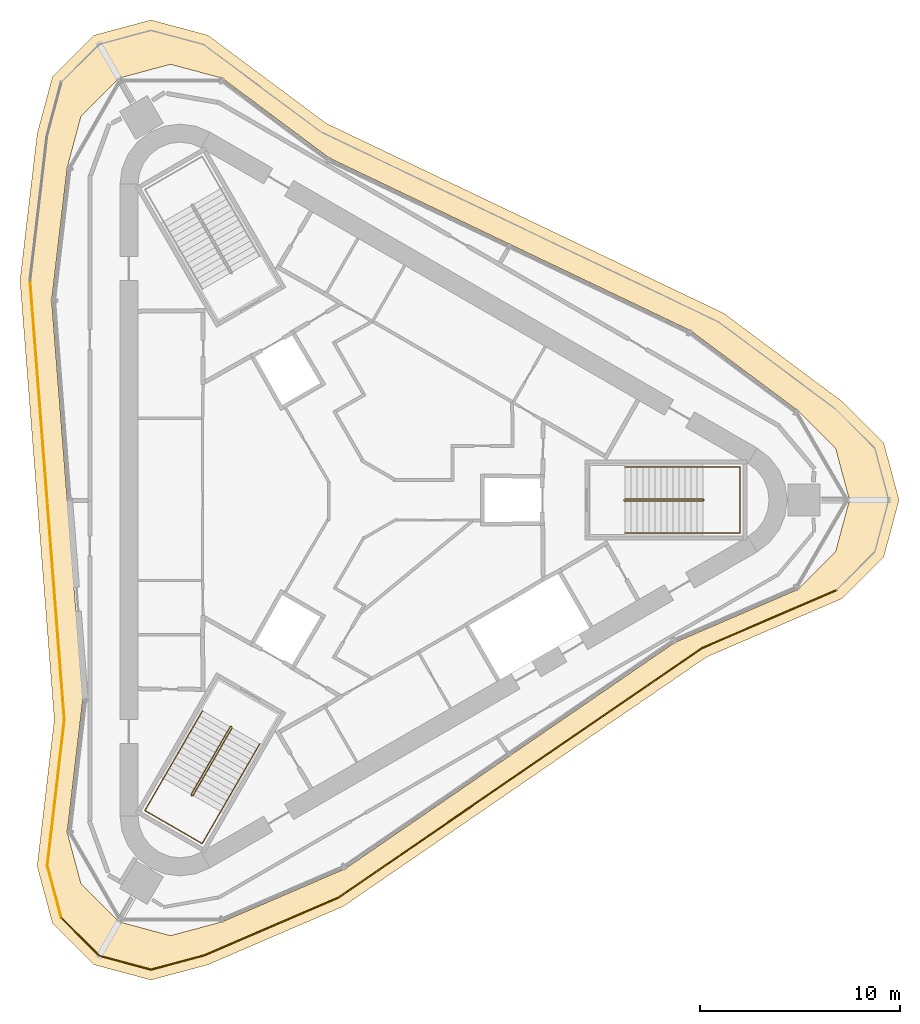
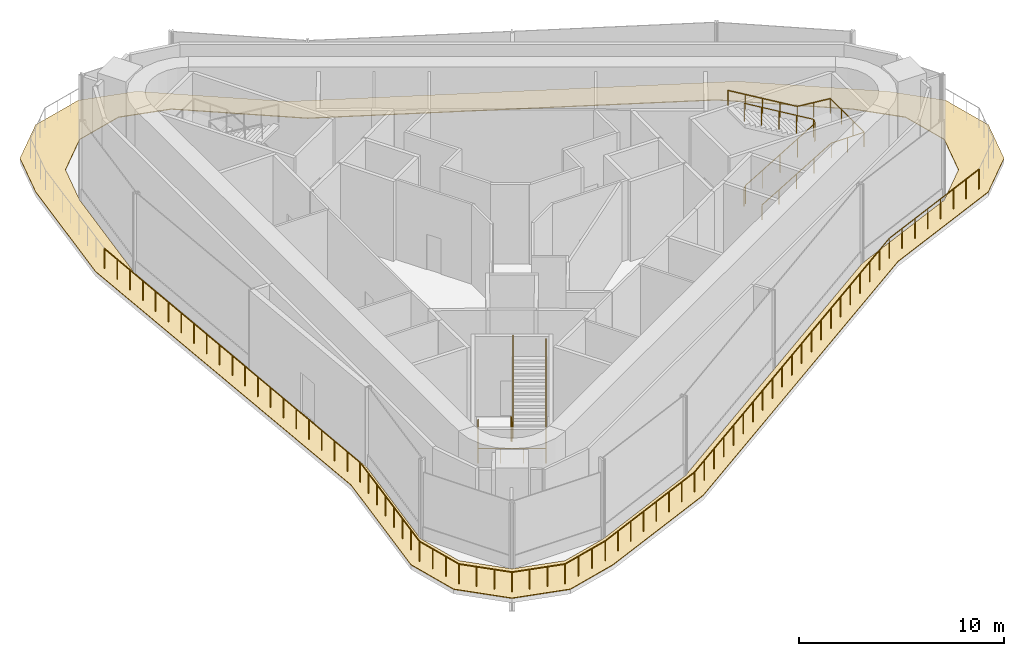
# One storey, part 8 of 9: 12 railings, 1 covering.
"""IFC4 building model written with IfcOpenShell, lengths in metres."""

import ifcopenshell
import ifcopenshell.guid

model = None  # the IFC model being written
_history = None  # IfcOwnerHistory: only IFC2X3 demands one
_inside = {}  # id of a spatial element -> (the spatial element, [elements in it])
_under = {}  # id of a project, library or spatial element -> (it, [spatial elements below it])
_declared = {}  # id of a project -> (the project, [libraries it declares])
_typed = {}  # id of a type object -> (the type object, [elements of that type])
_made_of = {}  # id of a material, layer set ... -> (it, [elements and type objects made of it])


def new_model(schema):
    """Start an empty IFC model of exactly this schema.

    Asked for "IFC4X3", IfcOpenShell would pick the latest addendum, in which some entities
    have other attributes; the version numbers below select the first issue.
    IFC2X3 requires an IfcOwnerHistory on every rooted entity: one is made here for all.
    """
    global model, _history
    if schema == "IFC4X3":
        model = ifcopenshell.file(schema_version=(4, 3, 0, 0))
    else:
        model = ifcopenshell.file(schema=schema)
    _inside.clear()
    _under.clear()
    _declared.clear()
    _typed.clear()
    _made_of.clear()
    _history = None
    if model.schema == "IFC2X3":
        org = make("IfcOrganization", Name="unknown")
        user = make(
            "IfcPersonAndOrganization",
            ThePerson=make("IfcPerson", FamilyName="unknown"),
            TheOrganization=org,
        )
        app = make(
            "IfcApplication",
            ApplicationDeveloper=org,
            Version="unknown",
            ApplicationFullName="unknown",
            ApplicationIdentifier="unknown",
        )
        _history = make(
            "IfcOwnerHistory",
            OwningUser=user,
            OwningApplication=app,
            ChangeAction="ADDED",
            CreationDate=0,
        )
    return model


def make(cls, **values):
    """One entity of the class cls with the attributes given. An attribute that is None is left unset."""
    return model.create_entity(
        cls, **{name: value for name, value in values.items() if value is not None}
    )


def rooted(cls, **values):
    """An entity with a GlobalId (a new one), such as an element, a storey or a relation."""
    return make(cls, GlobalId=ifcopenshell.guid.new(), OwnerHistory=_history, **values)


def si_unit(unit_type, name, prefix=None):
    """IfcSIUnit, for example si_unit("LENGTHUNIT", "METRE", prefix="MILLI")."""
    return make("IfcSIUnit", UnitType=unit_type, Prefix=prefix, Name=name)


def assignment(units):
    """IfcUnitAssignment: the units of a project."""
    return None if units is None else make("IfcUnitAssignment", Units=units)


def point(xyz):
    """IfcCartesianPoint."""
    return None if xyz is None else make("IfcCartesianPoint", Coordinates=xyz)


def direction(xyz):
    """IfcDirection."""
    return None if xyz is None else make("IfcDirection", DirectionRatios=xyz)


def frame(location, z_axis=None, x_axis=None):
    """IfcAxis2Placement3D, a coordinate frame: its origin and axes. An axis left out is left unset."""
    return make(
        "IfcAxis2Placement3D",
        Location=point(location),
        Axis=direction(z_axis),
        RefDirection=direction(x_axis),
    )


def frame_2d(location, x_axis=None):
    """IfcAxis2Placement2D, a coordinate frame in the plane: its origin and x axis."""
    return make(
        "IfcAxis2Placement2D", Location=point(location), RefDirection=direction(x_axis)
    )


def origin():
    """The frame at (0, 0, 0) with its axes left unset."""
    return frame((0.0, 0.0, 0.0))


def origin_2d():
    """The frame at (0, 0) in the plane with its x axis left unset."""
    return frame_2d((0.0, 0.0))


def place(relative_to, where):
    """IfcLocalPlacement: puts the frame where relative to a parent placement (None: the world)."""
    return make(
        "IfcLocalPlacement", PlacementRelTo=relative_to, RelativePlacement=where
    )


def context(
    kind, dimensions, precision=None, world=None, true_north=None, identifier=None
):
    """IfcGeometricRepresentationContext, for example the 3D "Model" context."""
    return make(
        "IfcGeometricRepresentationContext",
        ContextIdentifier=identifier,
        ContextType=kind,
        CoordinateSpaceDimension=dimensions,
        Precision=precision,
        WorldCoordinateSystem=world,
        TrueNorth=true_north,
    )


def subcontext(parent, identifier, kind, view, scale=None):
    """IfcGeometricRepresentationSubContext, for example "Body" below "Model"."""
    return make(
        "IfcGeometricRepresentationSubContext",
        ContextIdentifier=identifier,
        ContextType=kind,
        ParentContext=parent,
        TargetScale=scale,
        TargetView=view,
    )


def project(units=None, contexts=None):
    """IfcProject with its units and contexts."""
    return rooted(
        "IfcProject",
        Name="project",
        RepresentationContexts=contexts,
        UnitsInContext=assignment(units),
    )


def spatial(cls, under=None, at=None, **own):
    """A site, building, storey or space (cls), placed at a placement, below another one or the project."""
    s = rooted(cls, ObjectPlacement=at, **own)
    if under is not None:
        _under.setdefault(under.id(), (under, []))[1].append(s)
    return s


def polyline(points):
    """IfcPolyline through the points."""
    return make("IfcPolyline", Points=[point(p) for p in points])


def profile(cls, at=None, kind="AREA", **sizes):
    """A parametric profile (cls). Its sizes go by their IFC names, for example OverallWidth=200.0."""
    return make(cls, ProfileType=kind, Position=at, **sizes)


def circle(**sizes):
    """IfcCircleProfileDef."""
    return profile("IfcCircleProfileDef", **sizes)


def outline(outer, holes=None, kind="AREA"):
    """IfcArbitraryClosedProfileDef: a profile drawn as a closed curve; with holes, ...WithVoids."""
    if holes is None:
        return make("IfcArbitraryClosedProfileDef", ProfileType=kind, OuterCurve=outer)
    return make(
        "IfcArbitraryProfileDefWithVoids",
        ProfileType=kind,
        OuterCurve=outer,
        InnerCurves=holes,
    )


def extrude(swept, where, along, depth):
    """IfcExtrudedAreaSolid: the profile swept, set in the frame where, extruded along a direction by depth."""
    return make(
        "IfcExtrudedAreaSolid",
        SweptArea=swept,
        Position=where,
        ExtrudedDirection=direction(along),
        Depth=depth,
    )


def shape(context_of_items, identifier, shape_type, items):
    """IfcShapeRepresentation: the items that make up one representation, for example the "Body"."""
    return make(
        "IfcShapeRepresentation",
        ContextOfItems=context_of_items,
        RepresentationIdentifier=identifier,
        RepresentationType=shape_type,
        Items=items,
    )


def material(Name=None, Category=None):
    """IfcMaterial."""
    return make("IfcMaterial", Name=Name, Category=Category)


def layer(
    of_material, thickness, ventilated=None, Name=None, Category=None, Priority=None
):
    """IfcMaterialLayer: one layer of a wall or slab, of a material (None: an air gap)."""
    return make(
        "IfcMaterialLayer",
        Material=of_material,
        LayerThickness=thickness,
        IsVentilated=ventilated,
        Name=Name,
        Category=Category,
        Priority=Priority,
    )


def layer_set(layers, Name=None):
    """IfcMaterialLayerSet."""
    return make("IfcMaterialLayerSet", MaterialLayers=layers, LayerSetName=Name)


def made_of(thing, what):
    """Note that an element or type object is made of a material, layer set ...; save() writes the relation."""
    if what is not None:
        _made_of.setdefault(what.id(), (what, []))[1].append(thing)
    return thing


def type_object(cls, material=None, **own):
    """A type object (cls), such as IfcWallType, which elements share."""
    return made_of(rooted(cls, **own), material)


def element(
    cls,
    number,
    at=None,
    inside=None,
    cuts=None,
    type_object=None,
    material=None,
    context=None,
    identifier="Body",
    shape_type=None,
    held_by="IfcProductDefinitionShape",
    body=None,
    shapes=None,
    **own,
):
    """One element of the class cls, such as IfcWall. Its Tag is "e" and its number.

    at: its placement. inside: the storey or other place that contains it. cuts: it is an
    opening in that element (IfcRelVoidsElement). A single representation is given by context,
    identifier, shape_type and body (its items); several are given by shapes. held_by: the class
    of the entity that holds the representations. save() writes the other relations.
    """
    e = rooted(cls, Tag="e%d" % number, ObjectPlacement=at, **own)
    if body is not None:
        shapes = [shape(context, identifier, shape_type, body)]
    if shapes is not None:
        e.Representation = make(held_by, Representations=shapes)
    if inside is not None:
        _inside.setdefault(inside.id(), (inside, []))[1].append(e)
    if cuts is not None:
        rooted(
            "IfcRelVoidsElement", RelatingBuildingElement=cuts, RelatedOpeningElement=e
        )
    if type_object is not None:
        _typed.setdefault(type_object.id(), (type_object, []))[1].append(e)
    return made_of(e, material)


def aggregate(whole, parts):
    """IfcRelAggregates: a whole, such as a stair, and the parts it consists of."""
    return rooted("IfcRelAggregates", RelatingObject=whole, RelatedObjects=parts)


def save(model, path):
    """Write the relations noted so far, then the file.

    IfcRelAggregates (storeys below a building ...), IfcRelContainedInSpatialStructure (elements
    in a storey), IfcRelDefinesByType, IfcRelAssociatesMaterial and IfcRelDeclares: one each for
    every whole, place, type object, material and project.
    """
    for whole, parts in _under.values():
        aggregate(whole, parts)
    for where, things in _inside.values():
        rooted(
            "IfcRelContainedInSpatialStructure",
            RelatedElements=things,
            RelatingStructure=where,
        )
    for kind, things in _typed.values():
        rooted("IfcRelDefinesByType", RelatedObjects=things, RelatingType=kind)
    for what, things in _made_of.values():
        rooted("IfcRelAssociatesMaterial", RelatedObjects=things, RelatingMaterial=what)
    for by, libraries in _declared.values():
        rooted("IfcRelDeclares", RelatingContext=by, RelatedDefinitions=libraries)
    model.write(path)


model = new_model("IFC4")

# Units and contexts
model_context = context("Model", 3, precision=1e-05, world=origin(), true_north=direction((0.0, 1.0)))
body_context = subcontext(model_context, "Body", "Model", "MODEL_VIEW")
ifc_project = project(units=[si_unit("LENGTHUNIT", "METRE"), si_unit("AREAUNIT", "SQUARE_METRE"), si_unit("VOLUMEUNIT", "CUBIC_METRE"), si_unit("PLANEANGLEUNIT", "RADIAN"), si_unit("MASSUNIT", "GRAM", prefix="KILO")], contexts=[model_context])

# Site, building, storey
site_placement = place(None, origin())
site = spatial("IfcSite", under=ifc_project, at=site_placement, CompositionType="ELEMENT")
building_placement = place(site_placement, origin())
building = spatial("IfcBuilding", under=site, at=building_placement, Name="Tanit Gate Tower", CompositionType="ELEMENT")
storey_placement = place(building_placement, frame((0.0, 0.0, 430.300048828125)))
storey = spatial("IfcBuildingStorey", under=building, at=storey_placement, Name="L97", CompositionType="ELEMENT", Elevation=430.300048828125)

# Railings
ifc_material_1 = material(Name="Stainless steel", Category="steel")
railing_type_1 = type_object("IfcRailingType", Name="Guard 1200 terrace balustrade", PredefinedType="GUARDRAIL", material=ifc_material_1)
railing_1_placement = place(storey_placement, frame((23.6591796875, -4.49951171875, 0.0400390625)))
element("IfcRailing", 1, at=railing_1_placement, inside=storey, type_object=railing_type_1, Name="Terrace guard L97 1", PredefinedType="GUARDRAIL", context=body_context, shape_type="SweptSolid", body=[
    extrude(circle(Radius=0.02392578125, at=origin_2d()), frame((0.0, 0.0, 1.17578125), z_axis=(-0.918303791551, -0.395876428224, 0.0), x_axis=(0.395876428224, -0.918303791551, 0.0)), (0.0, 0.0, 1.0), 7.3134765625),
    extrude(circle(Radius=0.02099609375, at=origin_2d()), origin(), (0.0, 0.0, 1.0), 1.15185546875),
    extrude(circle(Radius=0.02099609375, at=origin_2d()), frame((-0.95947265625, -0.41357421875, 0.0)), (0.0, 0.0, 1.0), 1.15185546875),
    extrude(circle(Radius=0.02099609375, at=origin_2d()), frame((-1.9189453125, -0.8271484375, 0.0)), (0.0, 0.0, 1.0), 1.15185546875),
    extrude(circle(Radius=0.02099609375, at=origin_2d()), frame((-2.87841796875, -1.24072265625, 0.0)), (0.0, 0.0, 1.0), 1.15185546875),
    extrude(circle(Radius=0.02099609375, at=origin_2d()), frame((-3.837646484375, -1.654541015625, 0.0)), (0.0, 0.0, 1.0), 1.15185546875),
    extrude(circle(Radius=0.02099609375, at=origin_2d()), frame((-4.797119140625, -2.068115234375, 0.0)), (0.0, 0.0, 1.0), 1.15185546875),
    extrude(circle(Radius=0.02099609375, at=origin_2d()), frame((-5.756591796875, -2.481689453125, 0.0)), (0.0, 0.0, 1.0), 1.15185546875),
    extrude(circle(Radius=0.02099609375, at=origin_2d()), frame((-6.716064453125, -2.895263671875, 0.0)), (0.0, 0.0, 1.0), 1.15185546875),
])
railing_2_placement = place(storey_placement, frame((16.943115234375, -7.394775390625, 0.0400390625)))
element("IfcRailing", 2, at=railing_2_placement, inside=storey, type_object=railing_type_1, Name="Terrace guard L97 1", PredefinedType="GUARDRAIL", context=body_context, shape_type="SweptSolid", body=[
    extrude(circle(Radius=0.02392578125, at=origin_2d()), frame((0.0, 0.0, 1.17578125), z_axis=(-0.824485940476, -0.565882438283, 0.0), x_axis=(0.565882438283, -0.824485940476, 0.0)), (0.0, 0.0, 1.0), 10.99951171875),
    extrude(circle(Radius=0.02099609375, at=origin_2d()), origin(), (0.0, 0.0, 1.0), 1.15185546875),
    extrude(circle(Radius=0.02099609375, at=origin_2d()), frame((-0.906982421875, -0.62255859375, 0.0)), (0.0, 0.0, 1.0), 1.15185546875),
    extrude(circle(Radius=0.02099609375, at=origin_2d()), frame((-1.813720703125, -1.244873046875, 0.0)), (0.0, 0.0, 1.0), 1.15185546875),
    extrude(circle(Radius=0.02099609375, at=origin_2d()), frame((-2.720703125, -1.8671875, 0.0)), (0.0, 0.0, 1.0), 1.15185546875),
    extrude(circle(Radius=0.02099609375, at=origin_2d()), frame((-3.62744140625, -2.48974609375, 0.0)), (0.0, 0.0, 1.0), 1.15185546875),
    extrude(circle(Radius=0.02099609375, at=origin_2d()), frame((-4.534423828125, -3.1123046875, 0.0)), (0.0, 0.0, 1.0), 1.15185546875),
    extrude(circle(Radius=0.02099609375, at=origin_2d()), frame((-5.44140625, -3.734619140625, 0.0)), (0.0, 0.0, 1.0), 1.15185546875),
    extrude(circle(Radius=0.02099609375, at=origin_2d()), frame((-6.34814453125, -4.35693359375, 0.0)), (0.0, 0.0, 1.0), 1.15185546875),
    extrude(circle(Radius=0.02099609375, at=origin_2d()), frame((-7.255126953125, -4.9794921875, 0.0)), (0.0, 0.0, 1.0), 1.15185546875),
    extrude(circle(Radius=0.02099609375, at=origin_2d()), frame((-8.161865234375, -5.60205078125, 0.0)), (0.0, 0.0, 1.0), 1.15185546875),
    extrude(circle(Radius=0.02099609375, at=origin_2d()), frame((-9.06884765625, -6.224365234375, 0.0)), (0.0, 0.0, 1.0), 1.15185546875),
])
railing_3_placement = place(storey_placement, frame((7.874267578125, -13.619140625, 0.0400390625)))
element("IfcRailing", 3, at=railing_3_placement, inside=storey, type_object=railing_type_1, Name="Terrace guard L97 1", PredefinedType="GUARDRAIL", context=body_context, shape_type="SweptSolid", body=[
    extrude(circle(Radius=0.02392578125, at=origin_2d()), frame((0.0, 0.0, 1.17578125), z_axis=(-0.82447558474, -0.565897526208, 0.0), x_axis=(0.565897526208, -0.82447558474, 0.0)), (0.0, 0.0, 1.0), 10.99951171875),
    extrude(circle(Radius=0.02099609375, at=origin_2d()), origin(), (0.0, 0.0, 1.0), 1.15185546875),
    extrude(circle(Radius=0.02099609375, at=origin_2d()), frame((-0.906982421875, -0.62255859375, 0.0)), (0.0, 0.0, 1.0), 1.15185546875),
    extrude(circle(Radius=0.02099609375, at=origin_2d()), frame((-1.813720703125, -1.244873046875, 0.0)), (0.0, 0.0, 1.0), 1.15185546875),
    extrude(circle(Radius=0.02099609375, at=origin_2d()), frame((-2.720703125, -1.867431640625, 0.0)), (0.0, 0.0, 1.0), 1.15185546875),
    extrude(circle(Radius=0.02099609375, at=origin_2d()), frame((-3.62744140625, -2.48974609375, 0.0)), (0.0, 0.0, 1.0), 1.15185546875),
    extrude(circle(Radius=0.02099609375, at=origin_2d()), frame((-4.534423828125, -3.1123046875, 0.0)), (0.0, 0.0, 1.0), 1.15185546875),
    extrude(circle(Radius=0.02099609375, at=origin_2d()), frame((-5.44140625, -3.73486328125, 0.0)), (0.0, 0.0, 1.0), 1.15185546875),
    extrude(circle(Radius=0.02099609375, at=origin_2d()), frame((-6.34814453125, -4.357177734375, 0.0)), (0.0, 0.0, 1.0), 1.15185546875),
    extrude(circle(Radius=0.02099609375, at=origin_2d()), frame((-7.255126953125, -4.979736328125, 0.0)), (0.0, 0.0, 1.0), 1.15185546875),
    extrude(circle(Radius=0.02099609375, at=origin_2d()), frame((-8.161865234375, -5.60205078125, 0.0)), (0.0, 0.0, 1.0), 1.15185546875),
    extrude(circle(Radius=0.02099609375, at=origin_2d()), frame((-9.06884765625, -6.224609375, 0.0)), (0.0, 0.0, 1.0), 1.15185546875),
])
railing_4_placement = place(storey_placement, frame((-1.194580078125, -19.84375, 0.0400390625)))
element("IfcRailing", 4, at=railing_4_placement, inside=storey, type_object=railing_type_1, Name="Terrace guard L97 1", PredefinedType="GUARDRAIL", context=body_context, shape_type="SweptSolid", body=[
    extrude(circle(Radius=0.02392578125, at=origin_2d()), frame((0.0, 0.0, 1.17578125), z_axis=(-0.91830810231, -0.395866428523, 0.0), x_axis=(0.395866428523, -0.91830810231, 0.0)), (0.0, 0.0, 1.0), 7.275390625),
    extrude(circle(Radius=0.02392578125, at=origin_2d()), frame((-6.68115234375, -2.880126953125, 1.17578125), z_axis=(-0.965931532633, -0.258797747796, 0.0), x_axis=(0.258797747796, -0.965931532633, 0.0)), (0.0, 0.0, 1.0), 2.770751953125),
    extrude(circle(Radius=0.02099609375, at=origin_2d()), origin(), (0.0, 0.0, 1.0), 1.15185546875),
    extrude(circle(Radius=0.02099609375, at=origin_2d()), frame((-0.954345703125, -0.411376953125, 0.0)), (0.0, 0.0, 1.0), 1.15185546875),
    extrude(circle(Radius=0.02099609375, at=origin_2d()), frame((-1.908935546875, -0.822998046875, 0.0)), (0.0, 0.0, 1.0), 1.15185546875),
    extrude(circle(Radius=0.02099609375, at=origin_2d()), frame((-2.86328125, -1.234375, 0.0)), (0.0, 0.0, 1.0), 1.15185546875),
    extrude(circle(Radius=0.02099609375, at=origin_2d()), frame((-3.81787109375, -1.645751953125, 0.0)), (0.0, 0.0, 1.0), 1.15185546875),
    extrude(circle(Radius=0.02099609375, at=origin_2d()), frame((-4.772216796875, -2.05712890625, 0.0)), (0.0, 0.0, 1.0), 1.15185546875),
    extrude(circle(Radius=0.02099609375, at=origin_2d()), frame((-5.726806640625, -2.46875, 0.0)), (0.0, 0.0, 1.0), 1.15185546875),
    extrude(circle(Radius=0.02099609375, at=origin_2d()), frame((-6.68115234375, -2.880126953125, 0.0)), (0.0, 0.0, 1.0), 1.15185546875),
    extrude(circle(Radius=0.02099609375, at=origin_2d()), frame((-7.5732421875, -3.119140625, 0.0)), (0.0, 0.0, 1.0), 1.15185546875),
    extrude(circle(Radius=0.02099609375, at=origin_2d()), frame((-8.46533203125, -3.358154296875, 0.0)), (0.0, 0.0, 1.0), 1.15185546875),
    extrude(circle(Radius=0.02099609375, at=origin_2d()), frame((-9.357421875, -3.59716796875, 0.0)), (0.0, 0.0, 1.0), 1.15185546875),
])
railing_5_placement = place(storey_placement, frame((-10.552001953125, -23.44091796875, 0.0400390625)))
element("IfcRailing", 5, at=railing_5_placement, inside=storey, type_object=railing_type_1, Name="Terrace guard L97 1", PredefinedType="GUARDRAIL", context=body_context, shape_type="SweptSolid", body=[
    extrude(circle(Radius=0.02392578125, at=origin_2d()), frame((0.0, 0.0, 1.17578125), z_axis=(-0.965928077566, 0.258810643077, 0.0), x_axis=(-0.258810643077, -0.965928077566, 0.0)), (0.0, 0.0, 1.0), 2.67333984375),
    extrude(circle(Radius=0.02392578125, at=origin_2d()), frame((-2.582275390625, 0.69189453125, 1.17578125), z_axis=(-0.707106781187, 0.707106781187, 0.0), x_axis=(-0.707106781187, -0.707106781187, 0.0)), (0.0, 0.0, 1.0), 2.673095703125),
    extrude(circle(Radius=0.02099609375, at=origin_2d()), origin(), (0.0, 0.0, 1.0), 1.15185546875),
    extrude(circle(Radius=0.02099609375, at=origin_2d()), frame((-0.86083984375, 0.230712890625, 0.0)), (0.0, 0.0, 1.0), 1.15185546875),
    extrude(circle(Radius=0.02099609375, at=origin_2d()), frame((-1.721435546875, 0.461181640625, 0.0)), (0.0, 0.0, 1.0), 1.15185546875),
    extrude(circle(Radius=0.02099609375, at=origin_2d()), frame((-2.582275390625, 0.69189453125, 0.0)), (0.0, 0.0, 1.0), 1.15185546875),
    extrude(circle(Radius=0.02099609375, at=origin_2d()), frame((-3.21240234375, 1.322021484375, 0.0)), (0.0, 0.0, 1.0), 1.15185546875),
    extrude(circle(Radius=0.02099609375, at=origin_2d()), frame((-3.84228515625, 1.951904296875, 0.0)), (0.0, 0.0, 1.0), 1.15185546875),
    extrude(circle(Radius=0.02099609375, at=origin_2d()), frame((-4.472412109375, 2.58203125, 0.0)), (0.0, 0.0, 1.0), 1.15185546875),
])
railing_6_placement = place(storey_placement, frame((-15.0244140625, -20.85888671875, 0.0400390625)))
element("IfcRailing", 6, at=railing_6_placement, inside=storey, type_object=railing_type_1, Name="Terrace guard L97 1", PredefinedType="GUARDRAIL", context=body_context, shape_type="SweptSolid", body=[
    extrude(circle(Radius=0.02392578125, at=origin_2d()), frame((0.0, 0.0, 1.17578125), z_axis=(-0.258856096713, 0.965915897578, 0.0), x_axis=(-0.965915897578, -0.258856096713, 0.0)), (0.0, 0.0, 1.0), 2.711669921875),
    extrude(circle(Radius=0.02392578125, at=origin_2d()), frame((-0.701904296875, 2.619140625, 1.17578125), z_axis=(0.11633571969, 0.993209947757, 0.0), x_axis=(-0.993209947757, 0.11633571969, 0.0)), (0.0, 0.0, 1.0), 7.3134765625),
    extrude(circle(Radius=0.02099609375, at=origin_2d()), origin(), (0.0, 0.0, 1.0), 1.15185546875),
    extrude(circle(Radius=0.02099609375, at=origin_2d()), frame((-0.23388671875, 0.873046875, 0.0)), (0.0, 0.0, 1.0), 1.15185546875),
    extrude(circle(Radius=0.02099609375, at=origin_2d()), frame((-0.468017578125, 1.74609375, 0.0)), (0.0, 0.0, 1.0), 1.15185546875),
    extrude(circle(Radius=0.02099609375, at=origin_2d()), frame((-0.701904296875, 2.619140625, 0.0)), (0.0, 0.0, 1.0), 1.15185546875),
    extrude(circle(Radius=0.02099609375, at=origin_2d()), frame((-0.580322265625, 3.65673828125, 0.0)), (0.0, 0.0, 1.0), 1.15185546875),
    extrude(circle(Radius=0.02099609375, at=origin_2d()), frame((-0.458740234375, 4.694580078125, 0.0)), (0.0, 0.0, 1.0), 1.15185546875),
    extrude(circle(Radius=0.02099609375, at=origin_2d()), frame((-0.337158203125, 5.732177734375, 0.0)), (0.0, 0.0, 1.0), 1.15185546875),
    extrude(circle(Radius=0.02099609375, at=origin_2d()), frame((-0.2158203125, 6.77001953125, 0.0)), (0.0, 0.0, 1.0), 1.15185546875),
    extrude(circle(Radius=0.02099609375, at=origin_2d()), frame((-0.09423828125, 7.8076171875, 0.0)), (0.0, 0.0, 1.0), 1.15185546875),
    extrude(circle(Radius=0.02099609375, at=origin_2d()), frame((0.02734375, 8.845458984375, 0.0)), (0.0, 0.0, 1.0), 1.15185546875),
    extrude(circle(Radius=0.02099609375, at=origin_2d()), frame((0.14892578125, 9.883056640625, 0.0)), (0.0, 0.0, 1.0), 1.15185546875),
])
for number, where, name in (
    (7, (-14.87548828125, -10.975830078125, 0.0400390625), "Terrace guard L97 1"),
    (8, (-15.731689453125, -0.009765625, 0.0400390625), "Terrace guard L97 1"),
):
    element("IfcRailing", number, at=place(storey_placement, frame(where)), inside=storey, type_object=railing_type_1, Name=name, PredefinedType="GUARDRAIL", context=body_context, shape_type="SweptSolid", body=[
        extrude(circle(Radius=0.02392578125, at=origin_2d()), frame((0.0, 0.0, 1.17578125), z_axis=(-0.077840442696, 0.996965829646, 0.0), x_axis=(-0.996965829646, -0.077840442696, 0.0)), (0.0, 0.0, 1.0), 10.99951171875),
        extrude(circle(Radius=0.02099609375, at=origin_2d()), origin(), (0.0, 0.0, 1.0), 1.15185546875),
        extrude(circle(Radius=0.02099609375, at=origin_2d()), frame((-0.085693359375, 1.0966796875, 0.0)), (0.0, 0.0, 1.0), 1.15185546875),
        extrude(circle(Radius=0.02099609375, at=origin_2d()), frame((-0.171142578125, 2.193115234375, 0.0)), (0.0, 0.0, 1.0), 1.15185546875),
        extrude(circle(Radius=0.02099609375, at=origin_2d()), frame((-0.2568359375, 3.289794921875, 0.0)), (0.0, 0.0, 1.0), 1.15185546875),
        extrude(circle(Radius=0.02099609375, at=origin_2d()), frame((-0.342529296875, 4.386474609375, 0.0)), (0.0, 0.0, 1.0), 1.15185546875),
        extrude(circle(Radius=0.02099609375, at=origin_2d()), frame((-0.42822265625, 5.48291015625, 0.0)), (0.0, 0.0, 1.0), 1.15185546875),
        extrude(circle(Radius=0.02099609375, at=origin_2d()), frame((-0.513671875, 6.57958984375, 0.0)), (0.0, 0.0, 1.0), 1.15185546875),
        extrude(circle(Radius=0.02099609375, at=origin_2d()), frame((-0.599365234375, 7.67626953125, 0.0)), (0.0, 0.0, 1.0), 1.15185546875),
        extrude(circle(Radius=0.02099609375, at=origin_2d()), frame((-0.68505859375, 8.77294921875, 0.0)), (0.0, 0.0, 1.0), 1.15185546875),
        extrude(circle(Radius=0.02099609375, at=origin_2d()), frame((-0.7705078125, 9.869384765625, 0.0)), (0.0, 0.0, 1.0), 1.15185546875),
        extrude(circle(Radius=0.02099609375, at=origin_2d()), frame((-0.856201171875, 10.966064453125, 0.0)), (0.0, 0.0, 1.0), 1.15185546875),
    ])
ifc_material_2 = material(Name="Stainless steel balustrade", Category="steel")
railing_type_2 = type_object("IfcRailingType", Name="INT-STAIR-GUARD", PredefinedType="GUARDRAIL", material=ifc_material_2)
railing_7_placement = place(storey_placement, frame((13.044921875, 0.0048828125, 0.0)))
element("IfcRailing", 9, at=railing_7_placement, inside=storey, type_object=railing_type_2, Name="L97 S1 stair guard 1", PredefinedType="GUARDRAIL", context=body_context, shape_type="SweptSolid", body=[
    extrude(circle(Radius=0.02392578125, at=origin_2d()), frame((0.0, 0.0, 1.076171875), z_axis=(0.0, -1.0, 0.0), x_axis=(1.0, 0.0, 0.0)), (0.0, 0.0, 1.0), 0.009765625),
    extrude(circle(Radius=0.02392578125, at=origin_2d()), frame((0.0, -0.009765625, 1.076171875), z_axis=(0.260684529273, -0.260684529273, 0.929562882432), x_axis=(0.707106781187, 0.707106781187, 0.0)), (0.0, 0.0, 1.0), 0.19189453125),
    extrude(circle(Radius=0.02392578125, at=origin_2d()), frame((0.050048828125, -0.059814453125, 1.25439453125), z_axis=(0.859291195736, 0.0, 0.511486696729), x_axis=(0.0, 1.0, 0.0)), (0.0, 0.0, 1.0), 4.538818359375),
    extrude(circle(Radius=0.02392578125, at=origin_2d()), frame((3.9501953125, -0.059814453125, 3.576171875), z_axis=(0.705375805398, 0.708833529934, 0.0), x_axis=(-0.708833529934, 0.705375805398, 0.0)), (0.0, 0.0, 1.0), 0.070556640625),
    extrude(circle(Radius=0.02392578125, at=origin_2d()), frame((4.0, -0.009765625, 3.576171875), z_axis=(0.0, 1.0, 0.0), x_axis=(-1.0, 0.0, 0.0)), (0.0, 0.0, 1.0), 0.009765625),
    extrude(circle(Radius=0.02392578125, at=origin_2d()), frame((4.0, 0.0, 3.576171875), z_axis=(-0.25949872427, 0.26077077684, 0.929870428634), x_axis=(-0.708833529934, -0.705375805398, 0.0)), (0.0, 0.0, 1.0), 0.19189453125),
    extrude(circle(Radius=0.02392578125, at=origin_2d()), frame((3.9501953125, 0.050048828125, 3.75439453125), z_axis=(-0.859291195736, 0.0, 0.511486696729), x_axis=(0.0, -1.0, 0.0)), (0.0, 0.0, 1.0), 4.538818359375),
    extrude(circle(Radius=0.02099609375, at=origin_2d()), origin(), (0.0, 0.0, 1.0), 1.052001953125),
    extrude(circle(Radius=0.02099609375, at=origin_2d()), frame((0.0, -0.009765625, 0.0)), (0.0, 0.0, 1.0), 1.052001953125),
    extrude(circle(Radius=0.02099609375, at=origin_2d()), frame((0.050048828125, -0.059814453125, 0.178466796875)), (0.0, 0.0, 1.0), 1.052001953125),
    extrude(circle(Radius=0.02099609375, at=origin_2d()), frame((1.025146484375, -0.059814453125, 0.7587890625)), (0.0, 0.0, 1.0), 1.052001953125),
    extrude(circle(Radius=0.02099609375, at=origin_2d()), frame((2.0, -0.059814453125, 1.33935546875)), (0.0, 0.0, 1.0), 1.052001953125),
    extrude(circle(Radius=0.02099609375, at=origin_2d()), frame((2.97509765625, -0.059814453125, 1.919677734375)), (0.0, 0.0, 1.0), 1.052001953125),
    extrude(circle(Radius=0.02099609375, at=origin_2d()), frame((3.9501953125, -0.059814453125, 2.5)), (0.0, 0.0, 1.0), 1.052001953125),
    extrude(circle(Radius=0.02099609375, at=origin_2d()), frame((4.0, -0.009765625, 2.5)), (0.0, 0.0, 1.0), 1.052001953125),
    extrude(circle(Radius=0.02099609375, at=origin_2d()), frame((4.0, 0.0, 2.5)), (0.0, 0.0, 1.0), 1.052001953125),
    extrude(circle(Radius=0.02099609375, at=origin_2d()), frame((3.9501953125, 0.050048828125, 2.678466796875)), (0.0, 0.0, 1.0), 1.052001953125),
    extrude(circle(Radius=0.02099609375, at=origin_2d()), frame((2.97509765625, 0.050048828125, 3.2587890625)), (0.0, 0.0, 1.0), 1.052001953125),
    extrude(circle(Radius=0.02099609375, at=origin_2d()), frame((2.0, 0.050048828125, 3.83935546875)), (0.0, 0.0, 1.0), 1.052001953125),
    extrude(circle(Radius=0.02099609375, at=origin_2d()), frame((1.025146484375, 0.050048828125, 4.419677734375)), (0.0, 0.0, 1.0), 1.052001953125),
    extrude(circle(Radius=0.02099609375, at=origin_2d()), frame((0.050048828125, 0.050048828125, 5.0)), (0.0, 0.0, 1.0), 1.052001953125),
])
railing_8_placement = place(storey_placement, frame((-6.51806640625, -11.2998046875, 0.0)))
element("IfcRailing", 10, at=railing_8_placement, inside=storey, type_object=railing_type_2, Name="L97 S3 stair guard 1", PredefinedType="GUARDRAIL", context=body_context, shape_type="SweptSolid", body=[
    extrude(circle(Radius=0.02392578125, at=origin_2d()), frame((0.0, 0.0, 1.076171875), z_axis=(-0.874157276122, 0.485642931179, 0.0), x_axis=(-0.485642931179, -0.874157276122, 0.0)), (0.0, 0.0, 1.0), 0.010009765625),
    extrude(circle(Radius=0.02392578125, at=origin_2d()), frame((-0.0087890625, 0.0048828125, 1.076171875), z_axis=(-0.356107019809, -0.094113998092, 0.929693683858), x_axis=(0.255512919477, -0.966805641264, 0.0)), (0.0, 0.0, 1.0), 0.19189453125),
    extrude(circle(Radius=0.02392578125, at=origin_2d()), frame((-0.0771484375, -0.01318359375, 1.25439453125), z_axis=(-0.429619468083, -0.74418246412, 0.511487607612), x_axis=(0.866042777325, -0.499969906938, 0.0)), (0.0, 0.0, 1.0), 4.538818359375),
    extrude(circle(Radius=0.02392578125, at=origin_2d()), frame((-2.027099609375, -3.390869140625, 3.576171875), z_axis=(0.259601060869, -0.965715946433, 0.0), x_axis=(0.965715946433, 0.259601060869, 0.0)), (0.0, 0.0, 1.0), 0.070556640625),
    extrude(circle(Radius=0.02392578125, at=origin_2d()), frame((-2.0087890625, -3.458984375, 3.576171875), z_axis=(0.863778900898, -0.503871025524, 0.0), x_axis=(0.503871025524, 0.863778900898, 0.0)), (0.0, 0.0, 1.0), 0.01025390625),
    extrude(circle(Radius=0.02392578125, at=origin_2d()), frame((-2.0, -3.464111328125, 3.576171875), z_axis=(0.354952926692, 0.095417453412, 0.930002112587), x_axis=(-0.259601060869, 0.965715946433, 0.0)), (0.0, 0.0, 1.0), 0.19189453125),
    extrude(circle(Radius=0.02392578125, at=origin_2d()), frame((-1.931884765625, -3.44580078125, 3.75439453125), z_axis=(0.429680527064, 0.74414126332, 0.511496260873), x_axis=(-0.866000020948, 0.500043961785, 0.0)), (0.0, 0.0, 1.0), 4.538818359375),
    extrude(circle(Radius=0.02099609375, at=origin_2d()), origin(), (0.0, 0.0, 1.0), 1.052001953125),
    extrude(circle(Radius=0.02099609375, at=origin_2d()), frame((-0.0087890625, 0.0048828125, 0.0)), (0.0, 0.0, 1.0), 1.052001953125),
    extrude(circle(Radius=0.02099609375, at=origin_2d()), frame((-0.0771484375, -0.01318359375, 0.178466796875)), (0.0, 0.0, 1.0), 1.052001953125),
    extrude(circle(Radius=0.02099609375, at=origin_2d()), frame((-0.564697265625, -0.857666015625, 0.7587890625)), (0.0, 0.0, 1.0), 1.052001953125),
    extrude(circle(Radius=0.02099609375, at=origin_2d()), frame((-1.05224609375, -1.7021484375, 1.33935546875)), (0.0, 0.0, 1.0), 1.052001953125),
    extrude(circle(Radius=0.02099609375, at=origin_2d()), frame((-1.53955078125, -2.54638671875, 1.919677734375)), (0.0, 0.0, 1.0), 1.052001953125),
    extrude(circle(Radius=0.02099609375, at=origin_2d()), frame((-2.027099609375, -3.390869140625, 2.5)), (0.0, 0.0, 1.0), 1.052001953125),
    extrude(circle(Radius=0.02099609375, at=origin_2d()), frame((-2.0087890625, -3.458984375, 2.5)), (0.0, 0.0, 1.0), 1.052001953125),
    extrude(circle(Radius=0.02099609375, at=origin_2d()), frame((-2.0, -3.464111328125, 2.5)), (0.0, 0.0, 1.0), 1.052001953125),
    extrude(circle(Radius=0.02099609375, at=origin_2d()), frame((-1.931884765625, -3.44580078125, 2.678466796875)), (0.0, 0.0, 1.0), 1.052001953125),
    extrude(circle(Radius=0.02099609375, at=origin_2d()), frame((-1.4443359375, -2.6015625, 3.2587890625)), (0.0, 0.0, 1.0), 1.052001953125),
    extrude(circle(Radius=0.02099609375, at=origin_2d()), frame((-0.956787109375, -1.757080078125, 3.83935546875)), (0.0, 0.0, 1.0), 1.052001953125),
    extrude(circle(Radius=0.02099609375, at=origin_2d()), frame((-0.46923828125, -0.91259765625, 4.419677734375)), (0.0, 0.0, 1.0), 1.052001953125),
    extrude(circle(Radius=0.02099609375, at=origin_2d()), frame((0.018310546875, -0.068359375, 5.0)), (0.0, 0.0, 1.0), 1.052001953125),
])
ifc_material_3 = material(Name="Stainless steel handrail", Category="steel")
railing_type_3 = type_object("IfcRailingType", Name="INT-STAIR-HANDRAIL", PredefinedType="HANDRAIL", material=ifc_material_3)
railing_9_placement = place(storey_placement, frame((13.094970703125, -1.64990234375, 0.178466796875)))
element("IfcRailing", 11, at=railing_9_placement, inside=storey, type_object=railing_type_3, Name="L97 S1 stair handrail 1", PredefinedType="HANDRAIL", context=body_context, shape_type="SweptSolid", body=[
    extrude(circle(Radius=0.02392578125, at=origin_2d()), frame((0.0, 0.0, 0.8759765625), z_axis=(0.859291195736, 0.0, 0.511486696729), x_axis=(0.0, 1.0, 0.0)), (0.0, 0.0, 1.0), 4.538818359375),
    extrude(circle(Radius=0.02392578125, at=origin_2d()), frame((3.900146484375, 0.0, 3.197265625), z_axis=(1.0, 0.0, 0.0), x_axis=(0.0, 1.0, 0.0)), (0.0, 0.0, 1.0), 1.85498046875),
    extrude(circle(Radius=0.02392578125, at=origin_2d()), frame((5.755126953125, 0.0, 3.197265625), z_axis=(0.0, 1.0, 0.0), x_axis=(-1.0, 0.0, 0.0)), (0.0, 0.0, 1.0), 3.2998046875),
    extrude(circle(Radius=0.02392578125, at=origin_2d()), frame((5.755126953125, 3.2998046875, 3.197265625), z_axis=(-0.995403746914, 0.0, 0.09576732548), x_axis=(0.0, -1.0, 0.0)), (0.0, 0.0, 1.0), 1.863525390625),
    extrude(circle(Radius=0.02392578125, at=origin_2d()), frame((3.900146484375, 3.2998046875, 3.3759765625), z_axis=(-0.859291195736, 0.0, 0.511486696729), x_axis=(0.0, -1.0, 0.0)), (0.0, 0.0, 1.0), 4.538818359375),
    extrude(circle(Radius=0.02099609375, at=origin_2d()), origin(), (0.0, 0.0, 1.0), 0.851806640625),
    extrude(circle(Radius=0.02099609375, at=origin_2d()), frame((0.97509765625, 0.0, 0.580322265625)), (0.0, 0.0, 1.0), 0.851806640625),
    extrude(circle(Radius=0.02099609375, at=origin_2d()), frame((1.9501953125, 0.0, 1.16064453125)), (0.0, 0.0, 1.0), 0.851806640625),
    extrude(circle(Radius=0.02099609375, at=origin_2d()), frame((2.925048828125, 0.0, 1.7412109375)), (0.0, 0.0, 1.0), 0.851806640625),
    extrude(circle(Radius=0.02099609375, at=origin_2d()), frame((3.900146484375, 0.0, 2.321533203125)), (0.0, 0.0, 1.0), 0.851806640625),
    extrude(circle(Radius=0.02099609375, at=origin_2d()), frame((4.82763671875, 0.0, 2.321533203125)), (0.0, 0.0, 1.0), 0.851806640625),
    extrude(circle(Radius=0.02099609375, at=origin_2d()), frame((5.755126953125, 0.0, 2.321533203125)), (0.0, 0.0, 1.0), 0.851806640625),
    extrude(circle(Radius=0.02099609375, at=origin_2d()), frame((5.755126953125, 1.099853515625, 2.321533203125)), (0.0, 0.0, 1.0), 0.851806640625),
    extrude(circle(Radius=0.02099609375, at=origin_2d()), frame((5.755126953125, 2.199951171875, 2.321533203125)), (0.0, 0.0, 1.0), 0.851806640625),
    extrude(circle(Radius=0.02099609375, at=origin_2d()), frame((5.755126953125, 3.2998046875, 2.321533203125)), (0.0, 0.0, 1.0), 0.851806640625),
    extrude(circle(Radius=0.02099609375, at=origin_2d()), frame((4.82763671875, 3.2998046875, 2.41064453125)), (0.0, 0.0, 1.0), 0.851806640625),
    extrude(circle(Radius=0.02099609375, at=origin_2d()), frame((3.900146484375, 3.2998046875, 2.5)), (0.0, 0.0, 1.0), 0.851806640625),
    extrude(circle(Radius=0.02099609375, at=origin_2d()), frame((2.925048828125, 3.2998046875, 3.080322265625)), (0.0, 0.0, 1.0), 0.851806640625),
    extrude(circle(Radius=0.02099609375, at=origin_2d()), frame((1.9501953125, 3.2998046875, 3.66064453125)), (0.0, 0.0, 1.0), 0.851806640625),
    extrude(circle(Radius=0.02099609375, at=origin_2d()), frame((0.97509765625, 3.2998046875, 4.2412109375)), (0.0, 0.0, 1.0), 0.851806640625),
    extrude(circle(Radius=0.02099609375, at=origin_2d()), frame((0.0, 3.2998046875, 4.821533203125)), (0.0, 0.0, 1.0), 0.851806640625),
])
railing_10_placement = place(storey_placement, frame((-7.9765625, -10.515625, 0.178466796875)))
element("IfcRailing", 12, at=railing_10_placement, inside=storey, type_object=railing_type_3, Name="L97 S3 stair handrail 1", PredefinedType="HANDRAIL", context=body_context, shape_type="SweptSolid", body=[
    extrude(circle(Radius=0.02392578125, at=origin_2d()), frame((0.0, 0.0, 0.8759765625), z_axis=(-0.429636665928, -0.744158462057, 0.511508082673), x_axis=(0.866027128446, -0.499997012787, 0.0)), (0.0, 0.0, 1.0), 4.53857421875),
    extrude(circle(Radius=0.02392578125, at=origin_2d()), frame((-1.949951171875, -3.37744140625, 3.197265625), z_axis=(-0.500003477455, -0.866023396066, 0.0), x_axis=(0.866023396066, -0.500003477455, 0.0)), (0.0, 0.0, 1.0), 1.85498046875),
    extrude(circle(Radius=0.02392578125, at=origin_2d()), frame((-2.87744140625, -4.98388671875, 3.197265625), z_axis=(0.866008176907, -0.50002983664, 0.0), x_axis=(0.50002983664, 0.866008176907, 0.0)), (0.0, 0.0, 1.0), 3.300048828125),
    extrude(circle(Radius=0.02392578125, at=origin_2d()), frame((-0.01953125, -6.634033203125, 3.197265625), z_axis=(0.497705303182, 0.862042878372, 0.095767985424), x_axis=(-0.866023396066, 0.500003477455, 0.0)), (0.0, 0.0, 1.0), 1.863525390625),
    extrude(circle(Radius=0.02392578125, at=origin_2d()), frame((0.907958984375, -5.027587890625, 3.3759765625), z_axis=(0.429619468083, 0.74418246412, 0.511487607612), x_axis=(-0.866042777325, 0.499969906938, 0.0)), (0.0, 0.0, 1.0), 4.538818359375),
    extrude(circle(Radius=0.02099609375, at=origin_2d()), origin(), (0.0, 0.0, 1.0), 0.851806640625),
    extrude(circle(Radius=0.02099609375, at=origin_2d()), frame((-0.487548828125, -0.84423828125, 0.580322265625)), (0.0, 0.0, 1.0), 0.851806640625),
    extrude(circle(Radius=0.02099609375, at=origin_2d()), frame((-0.97509765625, -1.688720703125, 1.16064453125)), (0.0, 0.0, 1.0), 0.851806640625),
    extrude(circle(Radius=0.02099609375, at=origin_2d()), frame((-1.46240234375, -2.533203125, 1.7412109375)), (0.0, 0.0, 1.0), 0.851806640625),
    extrude(circle(Radius=0.02099609375, at=origin_2d()), frame((-1.949951171875, -3.37744140625, 2.321533203125)), (0.0, 0.0, 1.0), 0.851806640625),
    extrude(circle(Radius=0.02099609375, at=origin_2d()), frame((-2.41357421875, -4.1806640625, 2.321533203125)), (0.0, 0.0, 1.0), 0.851806640625),
    extrude(circle(Radius=0.02099609375, at=origin_2d()), frame((-2.87744140625, -4.98388671875, 2.321533203125)), (0.0, 0.0, 1.0), 0.851806640625),
    extrude(circle(Radius=0.02099609375, at=origin_2d()), frame((-1.9248046875, -5.533935546875, 2.321533203125)), (0.0, 0.0, 1.0), 0.851806640625),
    extrude(circle(Radius=0.02099609375, at=origin_2d()), frame((-0.97216796875, -6.083984375, 2.321533203125)), (0.0, 0.0, 1.0), 0.851806640625),
    extrude(circle(Radius=0.02099609375, at=origin_2d()), frame((-0.01953125, -6.634033203125, 2.321533203125)), (0.0, 0.0, 1.0), 0.851806640625),
    extrude(circle(Radius=0.02099609375, at=origin_2d()), frame((0.4443359375, -5.830810546875, 2.41064453125)), (0.0, 0.0, 1.0), 0.851806640625),
    extrude(circle(Radius=0.02099609375, at=origin_2d()), frame((0.907958984375, -5.027587890625, 2.5)), (0.0, 0.0, 1.0), 0.851806640625),
    extrude(circle(Radius=0.02099609375, at=origin_2d()), frame((1.3955078125, -4.18310546875, 3.080322265625)), (0.0, 0.0, 1.0), 0.851806640625),
    extrude(circle(Radius=0.02099609375, at=origin_2d()), frame((1.8828125, -3.3388671875, 3.66064453125)), (0.0, 0.0, 1.0), 0.851806640625),
    extrude(circle(Radius=0.02099609375, at=origin_2d()), frame((2.370361328125, -2.494384765625, 4.2412109375)), (0.0, 0.0, 1.0), 0.851806640625),
    extrude(circle(Radius=0.02099609375, at=origin_2d()), frame((2.85791015625, -1.64990234375, 4.821533203125)), (0.0, 0.0, 1.0), 0.851806640625),
])

# Covering
ifc_material_4 = material(Name="Stone paving", Category="masonry")
ifc_layer = layer(ifc_material_4, 0.0400390625)
ifc_layer_set = layer_set([ifc_layer], Name="Terrace deck paving 40")
covering_type = type_object("IfcCoveringType", Name="Terrace deck paving 40", PredefinedType="FLOORING", material=ifc_layer_set)
covering_placement = place(storey_placement, origin())
element("IfcCovering", 13, at=covering_placement, inside=storey, type_object=covering_type, Name="Terrace deck paving L97", PredefinedType="FLOORING", context=body_context, shape_type="SweptSolid", body=[
    extrude(outline(polyline([(26.02490234375, 2.841064453125), (26.7861328125, 0.0), (26.02490234375, -2.841064453125), (23.945068359375, -4.920654296875), (17.185791015625, -7.83447265625), (-0.951904296875, -20.283447265625), (-7.711181640625, -23.197509765625), (-10.552001953125, -23.958740234375), (-13.39306640625, -23.197509765625), (-15.47265625, -21.11767578125), (-16.23388671875, -18.27685546875), (-15.377685546875, -10.966064453125), (-17.090087890625, 10.966064453125), (-16.23388671875, 18.27685546875), (-15.47265625, 21.11767578125), (-13.39306640625, 23.197509765625), (-10.552001953125, 23.958740234375), (-7.711181640625, 23.197509765625), (-1.807861328125, 18.800537109375), (18.0419921875, 9.3173828125), (23.945068359375, 4.920654296875), (26.02490234375, 2.841064453125)]), holes=[polyline([(16.375, 8.45654296875), (-1.640869140625, 17.0634765625), (-6.99853515625, 21.053955078125), (-9.5771484375, 21.744873046875), (-12.155517578125, 21.053955078125), (-14.04296875, 19.16650390625), (-14.73388671875, 16.587890625), (-15.510986328125, 9.952880859375), (-13.95703125, -9.952880859375), (-14.73388671875, -16.587890625), (-14.04296875, -19.16650390625), (-12.155517578125, -21.053955078125), (-9.5771484375, -21.744873046875), (-6.99853515625, -21.053955078125), (-0.86376953125, -18.409423828125), (15.597900390625, -7.110595703125), (21.732666015625, -4.466064453125), (23.6201171875, -2.578369140625), (24.31103515625, 0.0), (23.6201171875, 2.578369140625), (21.732666015625, 4.466064453125), (16.375, 8.45654296875)])]), origin(), (0.0, 0.0, 1.0), 0.0400390625),
])

save(model, "model.ifc")
